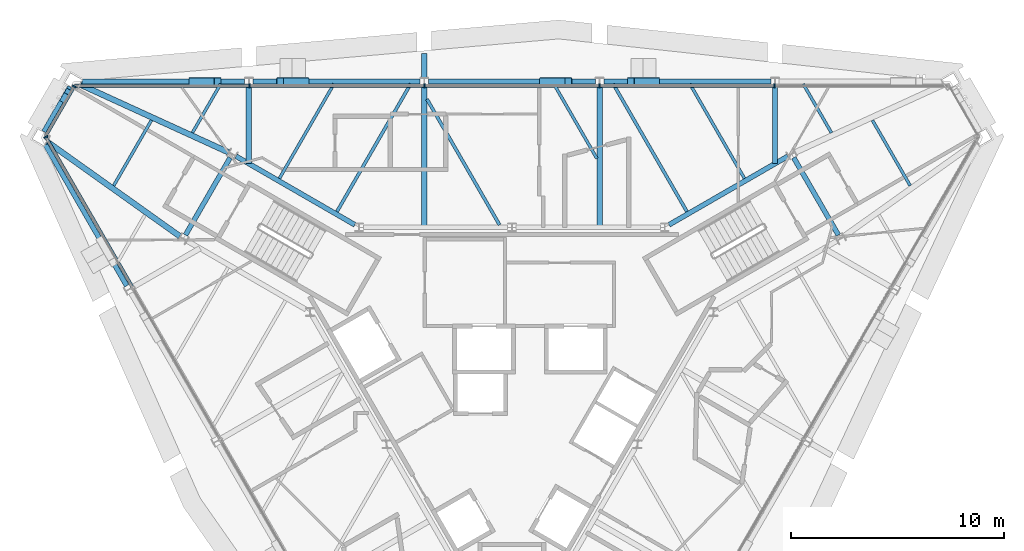
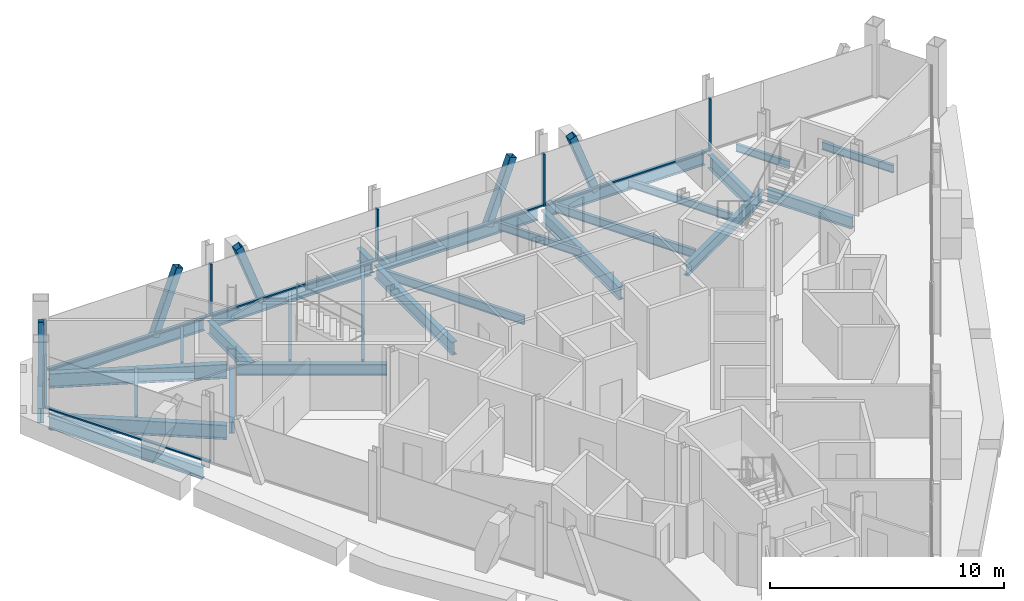
# One storey, part 5 of 13: 27 beams, 17 members, 3 elements without a shape of their own.
"""IFC4 building model written with IfcOpenShell, lengths in metres."""

from ifc_helpers import new_model, si_unit, direction, frame, origin, origin_2d, place, context, subcontext, project, spatial, rectangle, hollow_rectangle, i_section, extrude, material, material_profile, profile_set, type_object, element, aggregate, save


model = new_model("IFC4")

# Units and contexts
model_context = context("Model", 3, precision=1e-05, world=origin(), true_north=direction((0.0, 1.0)))
body_context = subcontext(model_context, "Body", "Model", "MODEL_VIEW")
ifc_project = project(units=[si_unit("LENGTHUNIT", "METRE"), si_unit("AREAUNIT", "SQUARE_METRE"), si_unit("VOLUMEUNIT", "CUBIC_METRE"), si_unit("PLANEANGLEUNIT", "RADIAN"), si_unit("MASSUNIT", "GRAM", prefix="KILO")], contexts=[model_context])

# Site, building, storey
site_placement = place(None, origin())
site = spatial("IfcSite", under=ifc_project, at=site_placement, CompositionType="ELEMENT")
building_placement = place(site_placement, origin())
building = spatial("IfcBuilding", under=site, at=building_placement, Name="Verrane Prism Tower", CompositionType="ELEMENT")
storey_placement = place(building_placement, frame((0.0, 0.0, 278.800048828125)))
storey = spatial("IfcBuildingStorey", under=building, at=storey_placement, Name="L70", CompositionType="ELEMENT", Elevation=278.800048828125)

# Member
ifc_material_1 = material(Name="Steel A500 Grade C", Category="steel")
ifc_material_profile_1 = material_profile(ifc_material_1, hollow_rectangle(XDim=0.25390625, YDim=0.25390625, WallThickness=0.009521484375, InnerFilletRadius=0.0048828125, OuterFilletRadius=0.014404296875, at=origin_2d()), Name="HSS10x10x3/8")
ifc_profile_set_1 = profile_set([ifc_material_profile_1], Name="Steel A500 Grade C")
member_type_1 = type_object("IfcMemberType", Name="Chamfer brace HSS10x10x3/8", PredefinedType="BRACE", material=ifc_profile_set_1)
member_1_placement = place(storey_placement, frame((-21.08642578125, 12.808349609375, -0.24267578125), z_axis=(0.067861913608, 0.117357529496, 0.990768374017), x_axis=(-0.865688187955, 0.500583620621, 0.0)))
element("IfcMember", 1, at=member_1_placement, inside=storey, type_object=member_type_1, Name="Chamfer brace NW0 L70", PredefinedType="BRACE", context=body_context, shape_type="SweptSolid", body=[
    extrude(hollow_rectangle(XDim=0.25390625, YDim=0.25390625, WallThickness=0.009521484375, InnerFilletRadius=0.0048828125, OuterFilletRadius=0.014404296875, at=origin_2d()), origin(), (0.0, 0.0, 1.0), 3.13720703125),
])

# Beams
ifc_material_2 = material(Name="Steel A992", Category="steel")
ifc_material_profile_2 = material_profile(ifc_material_2, i_section(OverallWidth=0.2666015625, OverallDepth=0.7568359375, WebThickness=0.013916015625, FlangeThickness=0.019287109375, FilletRadius=0.0166015625, at=origin_2d()), Name="W30x108")
ifc_profile_set_2 = profile_set([ifc_material_profile_2], Name="Steel A992")
beam_type_1 = type_object("IfcBeamType", Name="Chamfer spandrel beam W30x108", PredefinedType="SPANDREL", material=ifc_profile_set_2)
beam_1_placement = place(storey_placement, frame((-20.75, 13.390380859375, -0.53857421875), z_axis=(-0.500436097356, -0.865773476415, 0.0), x_axis=(0.865773476415, -0.500436097356, 0.0)))
element("IfcBeam", 2, at=beam_1_placement, inside=storey, type_object=beam_type_1, Name="Chamfer spandrel beam L70", PredefinedType="SPANDREL", context=body_context, shape_type="SweptSolid", body=[
    extrude(i_section(OverallWidth=0.2666015625, OverallDepth=0.7568359375, WebThickness=0.013916015625, FlangeThickness=0.019287109375, FilletRadius=0.0166015625, at=origin_2d()), origin(), (0.0, 0.0, 1.0), 2.437744140625),
])
ifc_material_3 = material(Name="Steel A992", Category="steel")
ifc_material_profile_3 = material_profile(ifc_material_3, i_section(OverallWidth=0.23046875, OverallDepth=0.6171875, WebThickness=0.01318359375, FlangeThickness=0.022216796875, FilletRadius=0.012939453125, at=origin_2d()), Name="W24x94")
ifc_profile_set_3 = profile_set([ifc_material_profile_3], Name="Steel A992")
beam_type_2 = type_object("IfcBeamType", Name="Core ring girder W24x94", PredefinedType="BEAM", material=ifc_profile_set_3)
beam_2_placement = place(storey_placement, frame((15.339599609375, 6.43359375, -0.55859375), z_axis=(-0.500306681185, 0.865848268903, 0.0), x_axis=(-0.865848268903, -0.500306681185, 0.0)))
element("IfcBeam", 3, at=beam_2_placement, inside=storey, type_object=beam_type_2, Name="Core ring girder L70", PredefinedType="BEAM", context=body_context, shape_type="SweptSolid", body=[
    extrude(i_section(OverallWidth=0.23046875, OverallDepth=0.6171875, WebThickness=0.01318359375, FlangeThickness=0.022216796875, FilletRadius=0.012939453125, at=origin_2d()), origin(), (0.0, 0.0, 1.0), 4.195556640625),
])
for number, where, z_axis, x_axis, name in (
    (4, (12.96728515625, 10.140380859375, -0.55859375), (-0.866080992722, -0.499903704773, 0.0), (0.499903704773, -0.866080992722, 0.0), "Core ring girder L70"),
    (5, (-7.37939453125, 6.9150390625, -0.55859375), (-0.866080992722, 0.499903704773, 0.0), (-0.499903704773, -0.866080992722, 0.0), "Core ring girder L70"),
):
    element("IfcBeam", number, at=place(storey_placement, frame(where, z_axis=z_axis, x_axis=x_axis)), inside=storey, type_object=beam_type_2, Name=name, PredefinedType="BEAM", context=body_context, shape_type="SweptSolid", body=[
        extrude(i_section(OverallWidth=0.23046875, OverallDepth=0.6171875, WebThickness=0.01318359375, FlangeThickness=0.022216796875, FilletRadius=0.012939453125, at=origin_2d()), origin(), (0.0, 0.0, 1.0), 6.451904296875),
    ])
beam_3_placement = place(storey_placement, frame((-13.240478515625, 10.06640625, -0.55859375), z_axis=(-0.500306681185, -0.865848268903, 0.0), x_axis=(0.865848268903, -0.500306681185, 0.0)))
element("IfcBeam", 6, at=beam_3_placement, inside=storey, type_object=beam_type_2, Name="Core ring girder L70", PredefinedType="BEAM", context=body_context, shape_type="SweptSolid", body=[
    extrude(i_section(OverallWidth=0.23046875, OverallDepth=0.6171875, WebThickness=0.01318359375, FlangeThickness=0.022216796875, FilletRadius=0.012939453125, at=origin_2d()), origin(), (0.0, 0.0, 1.0), 4.195556640625),
])
ifc_material_4 = material(Name="Steel A992", Category="steel")
ifc_material_profile_4 = material_profile(ifc_material_4, i_section(OverallWidth=0.2666015625, OverallDepth=0.7568359375, WebThickness=0.013916015625, FlangeThickness=0.019287109375, FilletRadius=0.0166015625, at=origin_2d()), Name="W30x108")
ifc_profile_set_4 = profile_set([ifc_material_profile_4], Name="Steel A992")
beam_type_3 = type_object("IfcBeamType", Name="Corner girder W30x108", PredefinedType="BEAM", material=ifc_profile_set_4)
for number, where, z_axis, x_axis, name in (
    (7, (-20.2802734375, 13.50390625, -0.5986328125), (0.909481370613, -0.415744677065, 0.0), (0.415744677065, 0.909481370613, 0.0), "Corner girder L70"),
    (8, (-21.833740234375, 10.81591796875, -0.5986328125), (0.814401339816, -0.580302040067, 0.0), (0.580302040067, 0.814401339816, 0.0), "Corner girder L70"),
):
    element("IfcBeam", number, at=place(storey_placement, frame(where, z_axis=z_axis, x_axis=x_axis)), inside=storey, type_object=beam_type_3, Name=name, PredefinedType="BEAM", context=body_context, shape_type="SweptSolid", body=[
        extrude(i_section(OverallWidth=0.2666015625, OverallDepth=0.7568359375, WebThickness=0.013916015625, FlangeThickness=0.019287109375, FilletRadius=0.0166015625, at=origin_2d()), origin(), (0.0, 0.0, 1.0), 7.650634765625),
    ])

# Members
ifc_material_5 = material(Name="Steel A500 Grade C", Category="steel")
ifc_material_profile_5 = material_profile(ifc_material_5, hollow_rectangle(XDim=0.355712890625, YDim=0.355712890625, WallThickness=0.0126953125, InnerFilletRadius=0.00634765625, OuterFilletRadius=0.01904296875, at=origin_2d()), Name="HSS14x14x1/2")
ifc_profile_set_5 = profile_set([ifc_material_profile_5], Name="Steel A500 Grade C")
member_type_2 = type_object("IfcMemberType", Name="Facade brace HSS14x14x1/2", PredefinedType="BRACE", material=ifc_profile_set_5)
for number, where, z_axis, x_axis, name in (
    (9, (6.773193359375, 13.64990234375, -0.216796875), (-0.347950987795, 0.0, 0.937512725296), (0.0, -1.0, 0.0), "Facade brace N1 L70"),
    (10, (1.466796875, 13.64990234375, -0.216796875), (0.348013925266, 0.0, 0.937489364111), (0.0, 1.0, 0.0), "Facade brace N2 L70"),
    (11, (-9.706787109375, 13.64990234375, -0.216796875), (-0.348013925266, 0.0, 0.937489364111), (0.0, -1.0, 0.0), "Facade brace N3 L70"),
    (12, (-15.01318359375, 13.64990234375, -0.216796875), (0.347950987795, 0.0, 0.937512725296), (0.0, 1.0, 0.0), "Facade brace N4 L70"),
):
    element("IfcMember", number, at=place(storey_placement, frame(where, z_axis=z_axis, x_axis=x_axis)), inside=storey, type_object=member_type_2, Name=name, PredefinedType="BRACE", context=body_context, shape_type="SweptSolid", body=[
        extrude(hollow_rectangle(XDim=0.355712890625, YDim=0.355712890625, WallThickness=0.0126953125, InnerFilletRadius=0.00634765625, OuterFilletRadius=0.01904296875, at=origin_2d()), origin(), (0.0, 0.0, 1.0), 3.409423828125),
    ])

# Beams
ifc_material_6 = material(Name="Steel A992", Category="steel")
ifc_material_profile_6 = material_profile(ifc_material_6, i_section(OverallWidth=0.140380859375, OverallDepth=0.40380859375, WebThickness=0.007080078125, FlangeThickness=0.01123046875, FilletRadius=0.01025390625, at=origin_2d()), Name="W16x31")
ifc_profile_set_6 = profile_set([ifc_material_profile_6], Name="Steel A992")
beam_type_4 = type_object("IfcBeamType", Name="Floor beam W16x31", PredefinedType="BEAM", material=ifc_profile_set_6)
beam_4_placement = place(storey_placement, frame((15.01123046875, 11.2421875, -0.362060546875), z_axis=(-0.50007632508, 0.865981332994, 0.0), x_axis=(-0.865981332994, -0.50007632508, 0.0)))
element("IfcBeam", 13, at=beam_4_placement, inside=storey, type_object=beam_type_4, Name="Floor beam L70", PredefinedType="BEAM", context=body_context, shape_type="SweptSolid", body=[
    extrude(i_section(OverallWidth=0.140380859375, OverallDepth=0.40380859375, WebThickness=0.007080078125, FlangeThickness=0.01123046875, FilletRadius=0.01025390625, at=origin_2d()), origin(), (0.0, 0.0, 1.0), 2.6474609375),
])
beam_5_placement = place(storey_placement, frame((10.925048828125, 9.094482421875, -0.362060546875), z_axis=(-0.500005474671, 0.866022242959, 0.0), x_axis=(-0.866022242959, -0.500005474671, 0.0)))
element("IfcBeam", 14, at=beam_5_placement, inside=storey, type_object=beam_type_4, Name="Floor beam L70", PredefinedType="BEAM", context=body_context, shape_type="SweptSolid", body=[
    extrude(i_section(OverallWidth=0.140380859375, OverallDepth=0.40380859375, WebThickness=0.007080078125, FlangeThickness=0.01123046875, FilletRadius=0.01025390625, at=origin_2d()), origin(), (0.0, 0.0, 1.0), 5.12744140625),
])
beam_6_placement = place(storey_placement, frame((3.992919921875, 10.029296875, -0.362060546875), z_axis=(-0.499992196334, 0.866029909186, 0.0), x_axis=(-0.866029909186, -0.499992196334, 0.0)))
element("IfcBeam", 15, at=beam_6_placement, inside=storey, type_object=beam_type_4, Name="Floor beam L70", PredefinedType="BEAM", context=body_context, shape_type="SweptSolid", body=[
    extrude(i_section(OverallWidth=0.140380859375, OverallDepth=0.40380859375, WebThickness=0.007080078125, FlangeThickness=0.01123046875, FilletRadius=0.01025390625, at=origin_2d()), origin(), (0.0, 0.0, 1.0), 4.0478515625),
])
beam_7_placement = place(storey_placement, frame((-10.925048828125, 9.094482421875, -0.362060546875), z_axis=(0.500005474671, 0.866022242959, 0.0), x_axis=(-0.866022242959, 0.500005474671, 0.0)))
element("IfcBeam", 16, at=beam_7_placement, inside=storey, type_object=beam_type_4, Name="Floor beam L70", PredefinedType="BEAM", context=body_context, shape_type="SweptSolid", body=[
    extrude(i_section(OverallWidth=0.140380859375, OverallDepth=0.40380859375, WebThickness=0.007080078125, FlangeThickness=0.01123046875, FilletRadius=0.01025390625, at=origin_2d()), origin(), (0.0, 0.0, 1.0), 5.12744140625),
])
beam_8_placement = place(storey_placement, frame((-15.01123046875, 11.2421875, -0.362060546875), z_axis=(0.50007632508, 0.865981332994, 0.0), x_axis=(-0.865981332994, 0.50007632508, 0.0)))
element("IfcBeam", 17, at=beam_8_placement, inside=storey, type_object=beam_type_4, Name="Floor beam L70", PredefinedType="BEAM", context=body_context, shape_type="SweptSolid", body=[
    extrude(i_section(OverallWidth=0.140380859375, OverallDepth=0.40380859375, WebThickness=0.007080078125, FlangeThickness=0.01123046875, FilletRadius=0.01025390625, at=origin_2d()), origin(), (0.0, 0.0, 1.0), 2.6474609375),
])
for number, where, z_axis, x_axis, name in (
    (18, (18.712158203125, 8.755615234375, -0.362060546875), (-0.499986454343, 0.866033224232, 0.0), (-0.866033224232, -0.499986454343, 0.0), "Floor beam L70"),
    (19, (-18.712158203125, 8.755615234375, -0.362060546875), (0.499986454343, 0.866033224232, 0.0), (-0.866033224232, 0.499986454343, 0.0), "Floor beam L70"),
):
    element("IfcBeam", number, at=place(storey_placement, frame(where, z_axis=z_axis, x_axis=x_axis)), inside=storey, type_object=beam_type_4, Name=name, PredefinedType="BEAM", context=body_context, shape_type="SweptSolid", body=[
        extrude(i_section(OverallWidth=0.140380859375, OverallDepth=0.40380859375, WebThickness=0.007080078125, FlangeThickness=0.01123046875, FilletRadius=0.01025390625, at=origin_2d()), origin(), (0.0, 0.0, 1.0), 3.548828125),
    ])
ifc_material_7 = material(Name="Steel A992", Category="steel")
ifc_material_profile_7 = material_profile(ifc_material_7, i_section(OverallWidth=0.15234375, OverallDepth=0.449462890625, WebThickness=0.007568359375, FlangeThickness=0.0107421875, FilletRadius=0.01025390625, at=origin_2d()), Name="W18x35")
ifc_profile_set_7 = profile_set([ifc_material_profile_7], Name="Steel A992")
beam_type_5 = type_object("IfcBeamType", Name="Floor beam W18x35", PredefinedType="BEAM", material=ifc_profile_set_7)
beam_9_placement = place(storey_placement, frame((8.22265625, 7.53466796875, -0.384765625), z_axis=(-0.500012221024, 0.866018347858, 0.0), x_axis=(-0.866018347858, -0.500012221024, 0.0)))
element("IfcBeam", 20, at=beam_9_placement, inside=storey, type_object=beam_type_5, Name="Floor beam L70", PredefinedType="BEAM", context=body_context, shape_type="SweptSolid", body=[
    extrude(i_section(OverallWidth=0.15234375, OverallDepth=0.449462890625, WebThickness=0.007568359375, FlangeThickness=0.0107421875, FilletRadius=0.01025390625, at=origin_2d()), origin(), (0.0, 0.0, 1.0), 6.928466796875),
])
beam_10_placement = place(storey_placement, frame((-0.583251953125, 6.9150390625, -0.384765625), z_axis=(-0.499997234054, 0.866027000698, 0.0), x_axis=(-0.866027000698, -0.499997234054, 0.0)))
element("IfcBeam", 21, at=beam_10_placement, inside=storey, type_object=beam_type_5, Name="Floor beam L70", PredefinedType="BEAM", context=body_context, shape_type="SweptSolid", body=[
    extrude(i_section(OverallWidth=0.15234375, OverallDepth=0.449462890625, WebThickness=0.007568359375, FlangeThickness=0.0107421875, FilletRadius=0.01025390625, at=origin_2d()), origin(), (0.0, 0.0, 1.0), 6.8193359375),
])
beam_11_placement = place(storey_placement, frame((-8.22265625, 7.53466796875, -0.384765625), z_axis=(0.500012221024, 0.866018347858, 0.0), x_axis=(-0.866018347858, 0.500012221024, 0.0)))
element("IfcBeam", 22, at=beam_11_placement, inside=storey, type_object=beam_type_5, Name="Floor beam L70", PredefinedType="BEAM", context=body_context, shape_type="SweptSolid", body=[
    extrude(i_section(OverallWidth=0.15234375, OverallDepth=0.449462890625, WebThickness=0.007568359375, FlangeThickness=0.0107421875, FilletRadius=0.01025390625, at=origin_2d()), origin(), (0.0, 0.0, 1.0), 6.928466796875),
])

# Curtain wall, members
ifc_material_8 = material(Name="Aluminium framed insulated glazing", Category="aluminium")
curtain_wall_type = type_object("IfcCurtainWallType", Name="Curtain wall CW-A 8400 module", PredefinedType="NOTDEFINED", material=ifc_material_8)
curtain_wall_1_placement = place(storey_placement, origin())
curtain_wall_1 = element("IfcCurtainWall", 23, at=curtain_wall_1_placement, inside=storey, type_object=curtain_wall_type, Name="Glazed curtain wall north face L70", PredefinedType="NOTDEFINED")
ifc_material_9 = material(Name="Aluminium alloy 6063-T6", Category="aluminium")
ifc_material_profile_8 = material_profile(ifc_material_9, rectangle(XDim=0.199951171875, YDim=0.070068359375, at=origin_2d()), Name="Mullion 70x200 aluminium")
ifc_profile_set_8 = profile_set([ifc_material_profile_8], Name="Aluminium alloy 6063-T6")
member_type_3 = type_object("IfcMemberType", Name="Mullion 70x200 aluminium", PredefinedType="MULLION", material=ifc_profile_set_8)
member_2_placement = place(storey_placement, frame((12.32763671875, 13.447265625, 0.0), z_axis=(0.0, 0.0, 1.0), x_axis=(0.0, -1.0, 0.0)))
member_2 = element("IfcMember", 24, at=member_2_placement, type_object=member_type_3, Name="CW69.2 mullion 2", PredefinedType="MULLION", context=body_context, shape_type="SweptSolid", body=[
    extrude(rectangle(XDim=0.199951171875, YDim=0.070068359375, at=origin_2d()), origin(), (0.0, 0.0, 1.0), 2.72314453125),
])
member_3_placement = place(storey_placement, frame((4.109130859375, 13.447265625, 0.0), z_axis=(0.0, 0.0, 1.0), x_axis=(0.0, -1.0, 0.0)))
member_3 = element("IfcMember", 25, at=member_3_placement, type_object=member_type_3, Name="CW69.2 mullion 3", PredefinedType="MULLION", context=body_context, shape_type="SweptSolid", body=[
    extrude(rectangle(XDim=0.199951171875, YDim=0.070068359375, at=origin_2d()), origin(), (0.0, 0.0, 1.0), 2.72314453125),
])
member_4_placement = place(storey_placement, frame((-4.109130859375, 13.447265625, 0.0), z_axis=(0.0, 0.0, 1.0), x_axis=(0.0, -1.0, 0.0)))
member_4 = element("IfcMember", 26, at=member_4_placement, type_object=member_type_3, Name="CW69.2 mullion 4", PredefinedType="MULLION", context=body_context, shape_type="SweptSolid", body=[
    extrude(rectangle(XDim=0.199951171875, YDim=0.070068359375, at=origin_2d()), origin(), (0.0, 0.0, 1.0), 2.72314453125),
])
member_5_placement = place(storey_placement, frame((-12.32763671875, 13.447265625, 0.0), z_axis=(0.0, 0.0, 1.0), x_axis=(0.0, -1.0, 0.0)))
member_5 = element("IfcMember", 27, at=member_5_placement, type_object=member_type_3, Name="CW69.2 mullion 5", PredefinedType="MULLION", context=body_context, shape_type="SweptSolid", body=[
    extrude(rectangle(XDim=0.199951171875, YDim=0.070068359375, at=origin_2d()), origin(), (0.0, 0.0, 1.0), 2.72314453125),
])

# Curtain wall, member
curtain_wall_2_placement = place(storey_placement, origin())
curtain_wall_2 = element("IfcCurtainWall", 28, at=curtain_wall_2_placement, inside=storey, type_object=curtain_wall_type, Name="Glazed curtain wall north-west corner L70", PredefinedType="NOTDEFINED")
member_6_placement = place(storey_placement, frame((-20.563720703125, 13.4169921875, 0.0), z_axis=(0.0, 0.0, 1.0), x_axis=(0.866024225493, -0.500002040855, 0.0)))
member_6 = element("IfcMember", 29, at=member_6_placement, type_object=member_type_3, Name="CW69.3 mullion 1", PredefinedType="MULLION", context=body_context, shape_type="SweptSolid", body=[
    extrude(rectangle(XDim=0.199951171875, YDim=0.070068359375, at=origin_2d()), origin(), (0.0, 0.0, 1.0), 2.72314453125),
])

curtain_wall_3_placement = place(storey_placement, origin())
curtain_wall_3 = element("IfcCurtainWall", 30, at=curtain_wall_3_placement, inside=storey, type_object=curtain_wall_type, Name="Glazed curtain wall south-west face L70", PredefinedType="NOTDEFINED")
member_7_placement = place(storey_placement, frame((-21.901123046875, 11.03955078125, 0.0), z_axis=(0.0, 0.0, 1.0), x_axis=(0.866024861728, 0.500000938868, 0.0)))
member_7 = element("IfcMember", 31, at=member_7_placement, type_object=member_type_3, Name="CW69.4 mullion 1", PredefinedType="MULLION", context=body_context, shape_type="SweptSolid", body=[
    extrude(rectangle(XDim=0.199951171875, YDim=0.070068359375, at=origin_2d()), origin(), (0.0, 0.0, 1.0), 2.72314453125),
])

# Beams
ifc_material_10 = material(Name="Steel A992", Category="steel")
ifc_material_profile_9 = material_profile(ifc_material_10, i_section(OverallWidth=0.25390625, OverallDepth=0.683349609375, WebThickness=0.012451171875, FlangeThickness=0.01904296875, FilletRadius=0.01513671875, at=origin_2d()), Name="W27x94")
ifc_profile_set_9 = profile_set([ifc_material_profile_9], Name="Steel A992")
beam_type_6 = type_object("IfcBeamType", Name="Radial girder W27x94", PredefinedType="BEAM", material=ifc_profile_set_9)
beam_12_placement = place(storey_placement, frame((12.360107421875, 13.4619140625, -0.561767578125), z_axis=(0.0, -1.0, 0.0), x_axis=(1.0, 0.0, 0.0)))
element("IfcBeam", 32, at=beam_12_placement, inside=storey, type_object=beam_type_6, Name="Radial girder L70", PredefinedType="BEAM", context=body_context, shape_type="SweptSolid", body=[
    extrude(i_section(OverallWidth=0.25390625, OverallDepth=0.683349609375, WebThickness=0.012451171875, FlangeThickness=0.01904296875, FilletRadius=0.01513671875, at=origin_2d()), origin(), (0.0, 0.0, 1.0), 3.672119140625),
])
for number, where, z_axis, x_axis, name in (
    (33, (4.1201171875, 13.4619140625, -0.561767578125), (0.0, -1.0, 0.0), (1.0, 0.0, 0.0), "Radial girder L70"),
    (34, (-4.1201171875, 13.4619140625, -0.561767578125), (0.0, -1.0, 0.0), (1.0, 0.0, 0.0), "Radial girder L70"),
):
    element("IfcBeam", number, at=place(storey_placement, frame(where, z_axis=z_axis, x_axis=x_axis)), inside=storey, type_object=beam_type_6, Name=name, PredefinedType="BEAM", context=body_context, shape_type="SweptSolid", body=[
        extrude(i_section(OverallWidth=0.25390625, OverallDepth=0.683349609375, WebThickness=0.012451171875, FlangeThickness=0.01904296875, FilletRadius=0.01513671875, at=origin_2d()), origin(), (0.0, 0.0, 1.0), 6.661865234375),
    ])
beam_13_placement = place(storey_placement, frame((-12.360107421875, 13.4619140625, -0.561767578125), z_axis=(0.0, -1.0, 0.0), x_axis=(1.0, 0.0, 0.0)))
element("IfcBeam", 35, at=beam_13_placement, inside=storey, type_object=beam_type_6, Name="Radial girder L70", PredefinedType="BEAM", context=body_context, shape_type="SweptSolid", body=[
    extrude(i_section(OverallWidth=0.25390625, OverallDepth=0.683349609375, WebThickness=0.012451171875, FlangeThickness=0.01904296875, FilletRadius=0.01513671875, at=origin_2d()), origin(), (0.0, 0.0, 1.0), 3.672119140625),
])
beam_14_placement = place(storey_placement, frame((-4.1201171875, 13.833984375, -0.561767578125), z_axis=(0.0, 1.0, 0.0), x_axis=(-1.0, 0.0, 0.0)))
element("IfcBeam", 36, at=beam_14_placement, inside=storey, type_object=beam_type_6, Name="Cantilever girder L70", PredefinedType="BEAM", context=body_context, shape_type="SweptSolid", body=[
    extrude(i_section(OverallWidth=0.25390625, OverallDepth=0.683349609375, WebThickness=0.012451171875, FlangeThickness=0.01904296875, FilletRadius=0.01513671875, at=origin_2d()), origin(), (0.0, 0.0, 1.0), 1.126708984375),
])
ifc_material_11 = material(Name="Steel A992", Category="steel")
ifc_material_profile_10 = material_profile(ifc_material_11, i_section(OverallWidth=0.23046875, OverallDepth=0.6171875, WebThickness=0.01318359375, FlangeThickness=0.022216796875, FilletRadius=0.012939453125, at=origin_2d()), Name="W24x94")
ifc_profile_set_10 = profile_set([ifc_material_profile_10], Name="Steel A992")
beam_type_7 = type_object("IfcBeamType", Name="Spandrel beam W24x94", PredefinedType="SPANDREL", material=ifc_profile_set_10)
for number, where, z_axis, x_axis, name in (
    (37, (12.1630859375, 13.64990234375, -0.46875), (-1.0, 0.0, 0.0), (0.0, -1.0, 0.0), "Spandrel beam L70"),
    (38, (3.923095703125, 13.64990234375, -0.46875), (-1.0, 0.0, 0.0), (0.0, -1.0, 0.0), "Spandrel beam L70"),
    (39, (-4.31689453125, 13.64990234375, -0.46875), (-1.0, 0.0, 0.0), (0.0, -1.0, 0.0), "Spandrel beam L70"),
):
    element("IfcBeam", number, at=place(storey_placement, frame(where, z_axis=z_axis, x_axis=x_axis)), inside=storey, type_object=beam_type_7, Name=name, PredefinedType="SPANDREL", context=body_context, shape_type="SweptSolid", body=[
        extrude(i_section(OverallWidth=0.23046875, OverallDepth=0.6171875, WebThickness=0.01318359375, FlangeThickness=0.022216796875, FilletRadius=0.012939453125, at=origin_2d()), origin(), (0.0, 0.0, 1.0), 7.84619140625),
    ])
beam_15_placement = place(storey_placement, frame((-12.556884765625, 13.64990234375, -0.46875), z_axis=(-1.0, 0.0, 0.0), x_axis=(0.0, -1.0, 0.0)))
element("IfcBeam", 40, at=beam_15_placement, inside=storey, type_object=beam_type_7, Name="Spandrel beam L70", PredefinedType="SPANDREL", context=body_context, shape_type="SweptSolid", body=[
    extrude(i_section(OverallWidth=0.23046875, OverallDepth=0.6171875, WebThickness=0.01318359375, FlangeThickness=0.022216796875, FilletRadius=0.012939453125, at=origin_2d()), origin(), (0.0, 0.0, 1.0), 7.638916015625),
])
beam_16_placement = place(storey_placement, frame((-21.91796875, 10.669921875, -0.46875), z_axis=(0.499791590914, -0.866145695395, 0.0), x_axis=(0.866145695395, 0.499791590914, 0.0)))
element("IfcBeam", 41, at=beam_16_placement, inside=storey, type_object=beam_type_7, Name="Spandrel beam L70", PredefinedType="SPANDREL", context=body_context, shape_type="SweptSolid", body=[
    extrude(i_section(OverallWidth=0.23046875, OverallDepth=0.6171875, WebThickness=0.01318359375, FlangeThickness=0.022216796875, FilletRadius=0.012939453125, at=origin_2d()), origin(), (0.0, 0.0, 1.0), 7.642333984375),
])

# Member
ifc_material_12 = material(Name="Aluminium alloy 6063-T6", Category="aluminium")
ifc_material_profile_11 = material_profile(ifc_material_12, rectangle(XDim=0.14990234375, YDim=0.070068359375, at=origin_2d()), Name="Transom 70x150 aluminium")
ifc_profile_set_11 = profile_set([ifc_material_profile_11], Name="Aluminium alloy 6063-T6")
member_type_4 = type_object("IfcMemberType", Name="Transom 70x150 aluminium", PredefinedType="USERDEFINED", material=ifc_profile_set_11)
member_8_placement = place(storey_placement, frame((12.292724609375, 13.447265625, 0.034912109375), z_axis=(-1.0, 0.0, 0.0), x_axis=(0.0, -1.0, 0.0)))
member_8 = element("IfcMember", 42, at=member_8_placement, type_object=member_type_4, Name="CW69.2 transom 2", ObjectType="TRANSOM", PredefinedType="USERDEFINED", context=body_context, shape_type="SweptSolid", body=[
    extrude(rectangle(XDim=0.14990234375, YDim=0.070068359375, at=origin_2d()), origin(), (0.0, 0.0, 1.0), 8.1484375),
])

member_9_placement = place(storey_placement, frame((4.07421875, 13.447265625, 0.034912109375), z_axis=(-1.0, 0.0, 0.0), x_axis=(0.0, -1.0, 0.0)))
member_9 = element("IfcMember", 43, at=member_9_placement, type_object=member_type_4, Name="CW69.2 transom 3", ObjectType="TRANSOM", PredefinedType="USERDEFINED", context=body_context, shape_type="SweptSolid", body=[
    extrude(rectangle(XDim=0.14990234375, YDim=0.070068359375, at=origin_2d()), origin(), (0.0, 0.0, 1.0), 8.1484375),
])

member_10_placement = place(storey_placement, frame((-4.144287109375, 13.447265625, 0.034912109375), z_axis=(-1.0, 0.0, 0.0), x_axis=(0.0, -1.0, 0.0)))
member_10 = element("IfcMember", 44, at=member_10_placement, type_object=member_type_4, Name="CW69.2 transom 4", ObjectType="TRANSOM", PredefinedType="USERDEFINED", context=body_context, shape_type="SweptSolid", body=[
    extrude(rectangle(XDim=0.14990234375, YDim=0.070068359375, at=origin_2d()), origin(), (0.0, 0.0, 1.0), 8.1484375),
])

member_11_placement = place(storey_placement, frame((-12.362548828125, 13.447265625, 0.034912109375), z_axis=(-1.0, 0.0, 0.0), x_axis=(0.0, -1.0, 0.0)))
member_11 = element("IfcMember", 45, at=member_11_placement, type_object=member_type_4, Name="CW69.2 transom 5", ObjectType="TRANSOM", PredefinedType="USERDEFINED", context=body_context, shape_type="SweptSolid", body=[
    extrude(rectangle(XDim=0.14990234375, YDim=0.070068359375, at=origin_2d()), origin(), (0.0, 0.0, 1.0), 8.18359375),
])

aggregate(curtain_wall_1, [member_2, member_3, member_4, member_5, member_8, member_9, member_10, member_11])

member_12_placement = place(storey_placement, frame((-20.5810546875, 13.386474609375, 0.034912109375), z_axis=(-0.50003581814, -0.866004723184, 0.0), x_axis=(0.866004723184, -0.50003581814, 0.0)))
member_12 = element("IfcMember", 46, at=member_12_placement, type_object=member_type_4, Name="CW69.3 transom 1", ObjectType="TRANSOM", PredefinedType="USERDEFINED", context=body_context, shape_type="SweptSolid", body=[
    extrude(rectangle(XDim=0.14990234375, YDim=0.070068359375, at=origin_2d()), origin(), (0.0, 0.0, 1.0), 2.675048828125),
])

aggregate(curtain_wall_2, [member_6, member_12])

member_13_placement = place(storey_placement, frame((-21.8837890625, 11.00927734375, 0.034912109375), z_axis=(0.500006361831, -0.866021730749, 0.0), x_axis=(0.866021730749, 0.500006361831, 0.0)))
member_13 = element("IfcMember", 47, at=member_13_placement, type_object=member_type_4, Name="CW69.4 transom 1", ObjectType="TRANSOM", PredefinedType="USERDEFINED", context=body_context, shape_type="SweptSolid", body=[
    extrude(rectangle(XDim=0.14990234375, YDim=0.070068359375, at=origin_2d()), origin(), (0.0, 0.0, 1.0), 8.11376953125),
])

aggregate(curtain_wall_3, [member_7, member_13])

save(model, "model.ifc")
